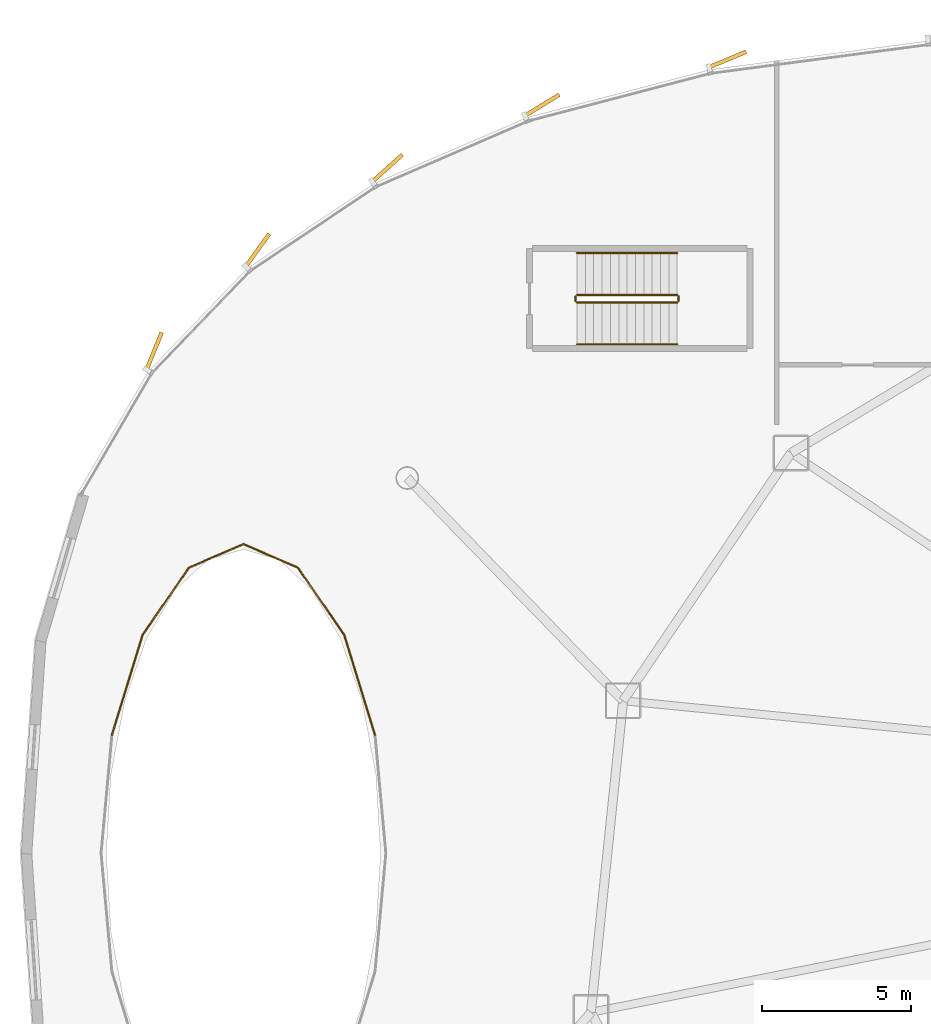
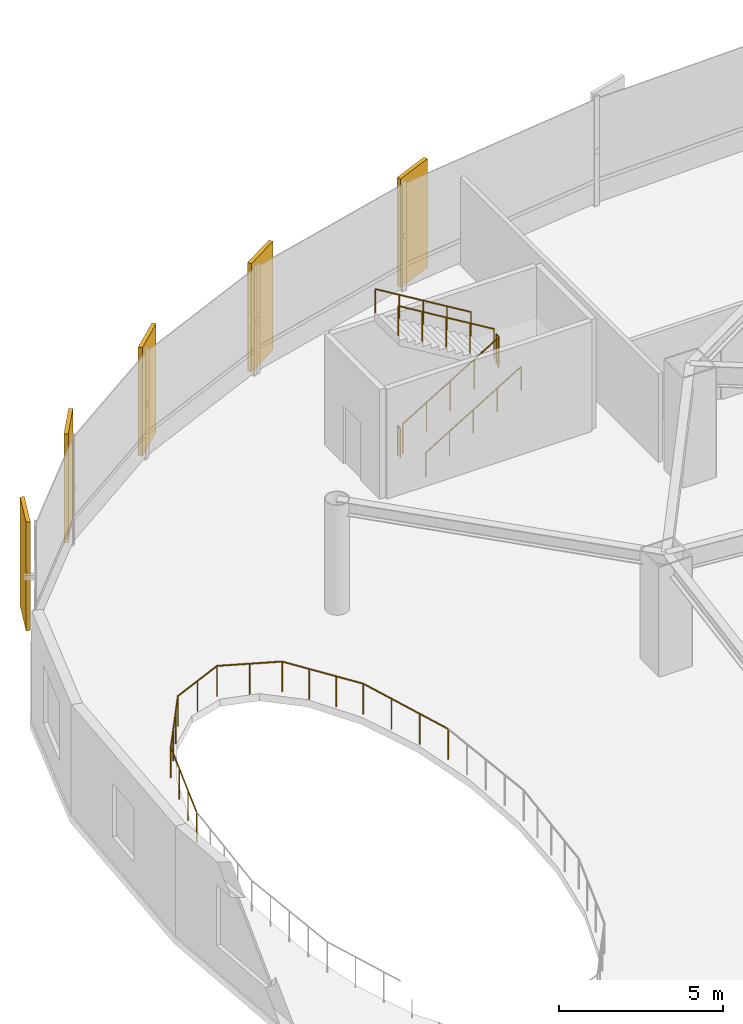
# One storey, part 32 of 34: 12 railings, 5 coverings.
"""IFC4 building model written with IfcOpenShell, lengths in metres."""

from ifc_helpers import new_model, si_unit, direction, frame, origin, origin_2d, place, context, subcontext, project, spatial, rectangle, circle, extrude, source, transform, mapped, material, layer, layer_set, type_object, element, save


model = new_model("IFC4")

# Units and contexts
model_context = context("Model", 3, precision=1e-05, world=origin(), true_north=direction((0.0, 1.0)))
body_context = subcontext(model_context, "Body", "Model", "MODEL_VIEW")
ifc_project = project(units=[si_unit("LENGTHUNIT", "METRE"), si_unit("AREAUNIT", "SQUARE_METRE"), si_unit("VOLUMEUNIT", "CUBIC_METRE"), si_unit("PLANEANGLEUNIT", "RADIAN"), si_unit("MASSUNIT", "GRAM", prefix="KILO"), si_unit("THERMODYNAMICTEMPERATUREUNIT", "KELVIN")], contexts=[model_context])

# Site, building, storey
site_placement = place(None, origin())
site = spatial("IfcSite", under=ifc_project, at=site_placement, CompositionType="ELEMENT")
building_placement = place(site_placement, origin())
building = spatial("IfcBuilding", under=site, at=building_placement, Name="Kethvar Cultural Tower", CompositionType="ELEMENT")
storey_placement = place(building_placement, frame((0.0, 0.0, 19.60009765625)))
storey = spatial("IfcBuildingStorey", under=building, at=storey_placement, Name="L04", CompositionType="ELEMENT", Elevation=19.60009765625)

# Railings
ifc_material_1 = material(Name="Steel S355J2", Category="steel")
railing_type_1 = type_object("IfcRailingType", Name="RL-INT-ATRIUM-1150", PredefinedType="BALUSTRADE", material=ifc_material_1)
railing_1_placement = place(storey_placement, frame((12.716064453125, 31.772216796875, 0.0)))
element("IfcRailing", 1, at=railing_1_placement, inside=storey, type_object=railing_type_1, Name="L04 Atrium Void Balustrade 02", PredefinedType="BALUSTRADE", context=body_context, shape_type="SweptSolid", body=[
    extrude(circle(Radius=0.02392578125, at=origin_2d()), frame((0.0, 0.0, 1.1259765625), z_axis=(-0.294066372694, 0.955785001164, 0.0), x_axis=(-0.955785001164, -0.294066372694, 0.0)), (0.0, 0.0, 1.0), 3.5234375),
    extrude(circle(Radius=0.02099609375, at=origin_2d()), origin(), (0.0, 0.0, 1.0), 1.101806640625),
    extrude(circle(Radius=0.02099609375, at=origin_2d()), frame((-0.345458984375, 1.12255859375, 0.0)), (0.0, 0.0, 1.0), 1.101806640625),
    extrude(circle(Radius=0.02099609375, at=origin_2d()), frame((-0.690673828125, 2.2451171875, 0.0)), (0.0, 0.0, 1.0), 1.101806640625),
    extrude(circle(Radius=0.02099609375, at=origin_2d()), frame((-1.0361328125, 3.36767578125, 0.0)), (0.0, 0.0, 1.0), 1.101806640625),
])
railing_2_placement = place(storey_placement, frame((11.679931640625, 35.139892578125, 0.0)))
element("IfcRailing", 2, at=railing_2_placement, inside=storey, type_object=railing_type_1, Name="L04 Atrium Void Balustrade 03", PredefinedType="BALUSTRADE", context=body_context, shape_type="SweptSolid", body=[
    extrude(circle(Radius=0.02392578125, at=origin_2d()), frame((0.0, 0.0, 1.1259765625), z_axis=(-0.567499103601, 0.823374014293, 0.0), x_axis=(-0.823374014293, -0.567499103601, 0.0)), (0.0, 0.0, 1.0), 2.732666015625),
    extrude(circle(Radius=0.02099609375, at=origin_2d()), origin(), (0.0, 0.0, 1.0), 1.101806640625),
    extrude(circle(Radius=0.02099609375, at=origin_2d()), frame((-0.516845703125, 0.75, 0.0)), (0.0, 0.0, 1.0), 1.101806640625),
    extrude(circle(Radius=0.02099609375, at=origin_2d()), frame((-1.033935546875, 1.5, 0.0)), (0.0, 0.0, 1.0), 1.101806640625),
    extrude(circle(Radius=0.02099609375, at=origin_2d()), frame((-1.55078125, 2.25, 0.0)), (0.0, 0.0, 1.0), 1.101806640625),
])
railing_3_placement = place(storey_placement, frame((10.129150390625, 37.389892578125, 0.0)))
element("IfcRailing", 3, at=railing_3_placement, inside=storey, type_object=railing_type_1, Name="L04 Atrium Void Balustrade 04", PredefinedType="BALUSTRADE", context=body_context, shape_type="SweptSolid", body=[
    extrude(circle(Radius=0.02392578125, at=origin_2d()), frame((0.0, 0.0, 1.1259765625), z_axis=(-0.918025861463, 0.396520513574, 0.0), x_axis=(-0.396520513574, -0.918025861463, 0.0)), (0.0, 0.0, 1.0), 1.992431640625),
    extrude(circle(Radius=0.02099609375, at=origin_2d()), origin(), (0.0, 0.0, 1.0), 1.101806640625),
    extrude(circle(Radius=0.02099609375, at=origin_2d()), frame((-0.91455078125, 0.39501953125, 0.0)), (0.0, 0.0, 1.0), 1.101806640625),
    extrude(circle(Radius=0.02099609375, at=origin_2d()), frame((-1.8291015625, 0.7900390625, 0.0)), (0.0, 0.0, 1.0), 1.101806640625),
])
railing_4_placement = place(storey_placement, frame((8.300048828125, 38.179931640625, 0.0)))
element("IfcRailing", 4, at=railing_4_placement, inside=storey, type_object=railing_type_1, Name="L04 Atrium Void Balustrade 05", PredefinedType="BALUSTRADE", context=body_context, shape_type="SweptSolid", body=[
    extrude(circle(Radius=0.02392578125, at=origin_2d()), frame((0.0, 0.0, 1.1259765625), z_axis=(-0.918045124076, -0.396475913721, 0.0), x_axis=(0.396475913721, -0.918045124076, 0.0)), (0.0, 0.0, 1.0), 1.99267578125),
    extrude(circle(Radius=0.02099609375, at=origin_2d()), origin(), (0.0, 0.0, 1.0), 1.101806640625),
    extrude(circle(Radius=0.02099609375, at=origin_2d()), frame((-0.91455078125, -0.39501953125, 0.0)), (0.0, 0.0, 1.0), 1.101806640625),
    extrude(circle(Radius=0.02099609375, at=origin_2d()), frame((-1.829345703125, -0.7900390625, 0.0)), (0.0, 0.0, 1.0), 1.101806640625),
])
railing_5_placement = place(storey_placement, frame((6.470703125, 37.389892578125, 0.0)))
element("IfcRailing", 5, at=railing_5_placement, inside=storey, type_object=railing_type_1, Name="L04 Atrium Void Balustrade 06", PredefinedType="BALUSTRADE", context=body_context, shape_type="SweptSolid", body=[
    extrude(circle(Radius=0.02392578125, at=origin_2d()), frame((0.0, 0.0, 1.1259765625), z_axis=(-0.567499103601, -0.823374014293, 0.0), x_axis=(0.823374014293, -0.567499103601, 0.0)), (0.0, 0.0, 1.0), 2.732666015625),
    extrude(circle(Radius=0.02099609375, at=origin_2d()), origin(), (0.0, 0.0, 1.0), 1.101806640625),
    extrude(circle(Radius=0.02099609375, at=origin_2d()), frame((-0.516845703125, -0.75, 0.0)), (0.0, 0.0, 1.0), 1.101806640625),
    extrude(circle(Radius=0.02099609375, at=origin_2d()), frame((-1.033935546875, -1.5, 0.0)), (0.0, 0.0, 1.0), 1.101806640625),
    extrude(circle(Radius=0.02099609375, at=origin_2d()), frame((-1.55078125, -2.25, 0.0)), (0.0, 0.0, 1.0), 1.101806640625),
])
railing_6_placement = place(storey_placement, frame((4.919921875, 35.139892578125, 0.0)))
element("IfcRailing", 6, at=railing_6_placement, inside=storey, type_object=railing_type_1, Name="L04 Atrium Void Balustrade 07", PredefinedType="BALUSTRADE", context=body_context, shape_type="SweptSolid", body=[
    extrude(circle(Radius=0.02392578125, at=origin_2d()), frame((0.0, 0.0, 1.1259765625), z_axis=(-0.294066372694, -0.955785001164, 0.0), x_axis=(0.955785001164, -0.294066372694, 0.0)), (0.0, 0.0, 1.0), 3.5234375),
    extrude(circle(Radius=0.02099609375, at=origin_2d()), origin(), (0.0, 0.0, 1.0), 1.101806640625),
    extrude(circle(Radius=0.02099609375, at=origin_2d()), frame((-0.345458984375, -1.12255859375, 0.0)), (0.0, 0.0, 1.0), 1.101806640625),
    extrude(circle(Radius=0.02099609375, at=origin_2d()), frame((-0.690673828125, -2.2451171875, 0.0)), (0.0, 0.0, 1.0), 1.101806640625),
    extrude(circle(Radius=0.02099609375, at=origin_2d()), frame((-1.0361328125, -3.36767578125, 0.0)), (0.0, 0.0, 1.0), 1.101806640625),
])
railing_type_2 = type_object("IfcRailingType", Name="RL-STAIR-GUARD", PredefinedType="BALUSTRADE", material=ifc_material_1)
railing_7_placement = place(storey_placement, frame((19.5, 46.2900390625, 0.169189453125)))
element("IfcRailing", 7, at=railing_7_placement, inside=storey, type_object=railing_type_2, Name="L04 ST-05 stair guard 1", PredefinedType="BALUSTRADE", context=body_context, shape_type="SweptSolid", body=[
    extrude(circle(Radius=0.02392578125, at=origin_2d()), frame((0.0, 0.0, 1.09619140625), z_axis=(0.855836976705, 0.0, 0.517245656632), x_axis=(0.0, 1.0, 0.0)), (0.0, 0.0, 1.0), 3.926025390625),
    extrude(circle(Radius=0.02099609375, at=origin_2d()), origin(), (0.0, 0.0, 1.0), 1.072021484375),
    extrude(circle(Radius=0.02099609375, at=origin_2d()), frame((0.840087890625, 0.0, 0.5078125)), (0.0, 0.0, 1.0), 1.072021484375),
    extrude(circle(Radius=0.02099609375, at=origin_2d()), frame((1.68017578125, 0.0, 1.015380859375)), (0.0, 0.0, 1.0), 1.072021484375),
    extrude(circle(Radius=0.02099609375, at=origin_2d()), frame((2.52001953125, 0.0, 1.52294921875)), (0.0, 0.0, 1.0), 1.072021484375),
    extrude(circle(Radius=0.02099609375, at=origin_2d()), frame((3.360107421875, 0.0, 2.03076171875)), (0.0, 0.0, 1.0), 1.072021484375),
])
railing_8_placement = place(storey_placement, frame((22.909912109375, 46.340087890625, 2.199951171875)))
element("IfcRailing", 8, at=railing_8_placement, inside=storey, type_object=railing_type_2, Name="L04 ST-05 stair guard 2", PredefinedType="BALUSTRADE", context=body_context, shape_type="SweptSolid", body=[
    extrude(circle(Radius=0.02392578125, at=origin_2d()), frame((0.0, 0.0, 1.09619140625), z_axis=(0.0, 1.0, 0.0), x_axis=(-1.0, 0.0, 0.0)), (0.0, 0.0, 1.0), 0.159912109375),
    extrude(circle(Radius=0.02099609375, at=origin_2d()), origin(), (0.0, 0.0, 1.0), 1.072021484375),
    extrude(circle(Radius=0.02099609375, at=origin_2d()), frame((0.0, 0.159912109375, 0.0)), (0.0, 0.0, 1.0), 1.072021484375),
])
railing_9_placement = place(storey_placement, frame((22.860107421875, 46.550048828125, 2.369140625)))
element("IfcRailing", 9, at=railing_9_placement, inside=storey, type_object=railing_type_2, Name="L04 ST-05 stair guard 3", PredefinedType="BALUSTRADE", context=body_context, shape_type="SweptSolid", body=[
    extrude(circle(Radius=0.02392578125, at=origin_2d()), frame((0.0, 0.0, 1.09619140625), z_axis=(-0.855836976705, 0.0, 0.517245656632), x_axis=(0.0, -1.0, 0.0)), (0.0, 0.0, 1.0), 3.926025390625),
    extrude(circle(Radius=0.02099609375, at=origin_2d()), origin(), (0.0, 0.0, 1.0), 1.072021484375),
    extrude(circle(Radius=0.02099609375, at=origin_2d()), frame((-0.840087890625, 0.0, 0.5078125)), (0.0, 0.0, 1.0), 1.072021484375),
    extrude(circle(Radius=0.02099609375, at=origin_2d()), frame((-1.68017578125, 0.0, 1.015380859375)), (0.0, 0.0, 1.0), 1.072021484375),
    extrude(circle(Radius=0.02099609375, at=origin_2d()), frame((-2.52001953125, 0.0, 1.52294921875)), (0.0, 0.0, 1.0), 1.072021484375),
    extrude(circle(Radius=0.02099609375, at=origin_2d()), frame((-3.360107421875, 0.0, 2.03076171875)), (0.0, 0.0, 1.0), 1.072021484375),
])
railing_10_placement = place(storey_placement, frame((19.449951171875, 46.340087890625, 0.0)))
element("IfcRailing", 10, at=railing_10_placement, inside=storey, type_object=railing_type_2, Name="L04 ST-05 stair guard 4", PredefinedType="BALUSTRADE", context=body_context, shape_type="SweptSolid", body=[
    extrude(circle(Radius=0.02392578125, at=origin_2d()), frame((0.0, 0.0, 1.09619140625), z_axis=(0.0, 1.0, 0.0), x_axis=(-1.0, 0.0, 0.0)), (0.0, 0.0, 1.0), 0.159912109375),
    extrude(circle(Radius=0.02099609375, at=origin_2d()), origin(), (0.0, 0.0, 1.0), 1.072021484375),
    extrude(circle(Radius=0.02099609375, at=origin_2d()), frame((0.0, 0.159912109375, 0.0)), (0.0, 0.0, 1.0), 1.072021484375),
])
railing_type_3 = type_object("IfcRailingType", Name="RL-STAIR-HANDRAIL", PredefinedType="HANDRAIL", material=ifc_material_1)
railing_11_placement = place(storey_placement, frame((19.5, 44.889892578125, 0.169189453125)))
element("IfcRailing", 11, at=railing_11_placement, inside=storey, type_object=railing_type_3, Name="L04 ST-05 stair handrail 1", PredefinedType="HANDRAIL", context=body_context, shape_type="SweptSolid", body=[
    extrude(circle(Radius=0.02392578125, at=origin_2d()), frame((0.0, 0.0, 0.8759765625), z_axis=(0.855836976705, 0.0, 0.517245656632), x_axis=(0.0, 1.0, 0.0)), (0.0, 0.0, 1.0), 3.926025390625),
    extrude(circle(Radius=0.02099609375, at=origin_2d()), origin(), (0.0, 0.0, 1.0), 0.851806640625),
    extrude(circle(Radius=0.02099609375, at=origin_2d()), frame((0.840087890625, 0.0, 0.5078125)), (0.0, 0.0, 1.0), 0.851806640625),
    extrude(circle(Radius=0.02099609375, at=origin_2d()), frame((1.68017578125, 0.0, 1.015380859375)), (0.0, 0.0, 1.0), 0.851806640625),
    extrude(circle(Radius=0.02099609375, at=origin_2d()), frame((2.52001953125, 0.0, 1.52294921875)), (0.0, 0.0, 1.0), 0.851806640625),
    extrude(circle(Radius=0.02099609375, at=origin_2d()), frame((3.360107421875, 0.0, 2.03076171875)), (0.0, 0.0, 1.0), 0.851806640625),
])
railing_12_placement = place(storey_placement, frame((22.860107421875, 47.949951171875, 2.369140625)))
element("IfcRailing", 12, at=railing_12_placement, inside=storey, type_object=railing_type_3, Name="L04 ST-05 stair handrail 2", PredefinedType="HANDRAIL", context=body_context, shape_type="SweptSolid", body=[
    extrude(circle(Radius=0.02392578125, at=origin_2d()), frame((0.0, 0.0, 0.8759765625), z_axis=(-0.855836976705, 0.0, 0.517245656632), x_axis=(0.0, -1.0, 0.0)), (0.0, 0.0, 1.0), 3.926025390625),
    extrude(circle(Radius=0.02099609375, at=origin_2d()), origin(), (0.0, 0.0, 1.0), 0.851806640625),
    extrude(circle(Radius=0.02099609375, at=origin_2d()), frame((-0.840087890625, 0.0, 0.5078125)), (0.0, 0.0, 1.0), 0.851806640625),
    extrude(circle(Radius=0.02099609375, at=origin_2d()), frame((-1.68017578125, 0.0, 1.015380859375)), (0.0, 0.0, 1.0), 0.851806640625),
    extrude(circle(Radius=0.02099609375, at=origin_2d()), frame((-2.52001953125, 0.0, 1.52294921875)), (0.0, 0.0, 1.0), 0.851806640625),
    extrude(circle(Radius=0.02099609375, at=origin_2d()), frame((-3.360107421875, 0.0, 2.03076171875)), (0.0, 0.0, 1.0), 0.851806640625),
])

# Coverings
ifc_material_2 = material(Name="Extruded Architectural Terracotta", Category="masonry")
ifc_layer = layer(ifc_material_2, 0.135009765625, Name="Extruded Architectural Terracotta", Category="masonry")
ifc_layer_set = layer_set([ifc_layer], Name="Extruded Architectural Terracotta (135 mm)")
covering_type = type_object("IfcCoveringType", Name="Terracotta Facade Fin FIN-04", PredefinedType="CLADDING", material=ifc_layer_set)
shared_shape = source(origin(), body_context, "Body", "SweptSolid", [
    extrude(rectangle(XDim=1.35009765625, YDim=0.135009765625, at=origin_2d()), origin(), (0.0, 0.0, 1.0), 4.0400390625),
])
for number, where, z_axis, x_axis, name in (
    (13, (24.552734375, 54.447998046875, 0.019775390625), (0.0, 0.0, 1.0), (0.922807277859, 0.385261895248, 0.0), "L04 Vertical Terracotta Fin 2.6"),
    (14, (18.32666015625, 52.914306640625, 0.019775390625), (0.0, 0.0, 1.0), (0.854005138885, 0.520264569962, 0.0), "L04 Vertical Terracotta Fin 3.1"),
    (15, (13.13232421875, 50.800537109375, 0.019775390625), (0.0, 0.0, 1.0), (0.745243290547, 0.66679264985, 0.0), "L04 Vertical Terracotta Fin 3.2"),
    (16, (8.775146484375, 48.048095703125, 0.019775390625), (0.0, 0.0, 1.0), (0.586372356736, 0.810041640446, 0.0), "L04 Vertical Terracotta Fin 3.3"),
    (17, (5.3017578125, 44.658935546875, 0.019775390625), (0.0, 0.0, 1.0), (0.378325519707, 0.925672620929, 0.0), "L04 Vertical Terracotta Fin 3.4"),
):
    element("IfcCovering", number, at=place(storey_placement, frame(where, z_axis=z_axis, x_axis=x_axis)), inside=storey, type_object=covering_type, Name=name, PredefinedType="CLADDING", context=body_context, shape_type="MappedRepresentation", body=[
        mapped(shared_shape, transform((0.0, 0.0, 0.0), scale=1.0)),
    ])

save(model, "model.ifc")
